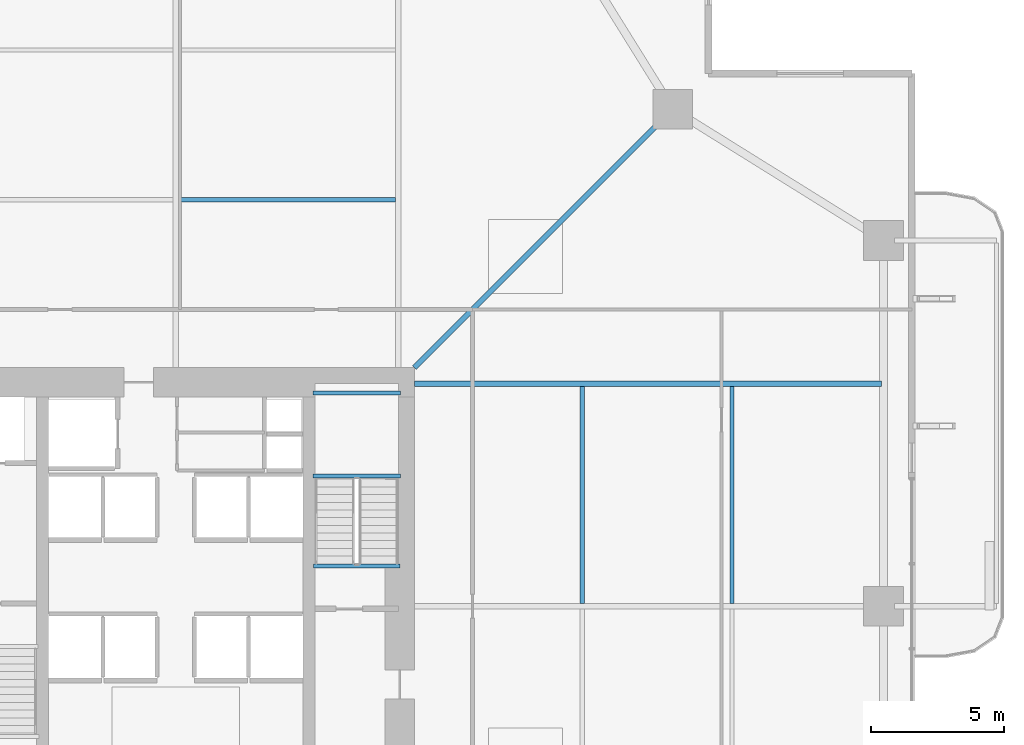
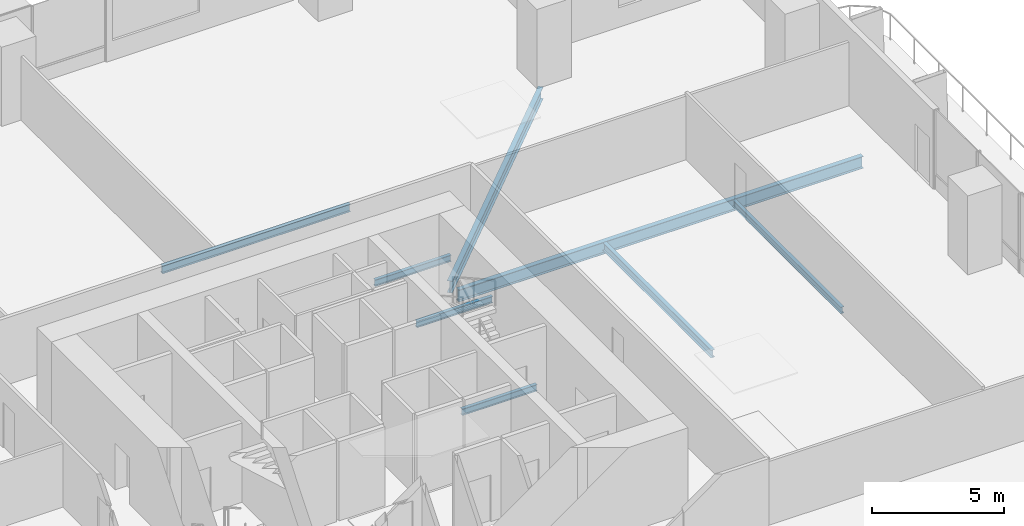
# One storey, part 12 of 24: 8 beams.
"""IFC4 building model written with IfcOpenShell, lengths in metres."""

from ifc_helpers import new_model, si_unit, direction, frame, origin, origin_2d, place, context, subcontext, project, spatial, i_section, extrude, material, material_profile, profile_set, type_object, element, save


model = new_model("IFC4")

# Units and contexts
model_context = context("Model", 3, precision=1e-05, world=origin(), true_north=direction((0.0, 1.0)))
body_context = subcontext(model_context, "Body", "Model", "MODEL_VIEW")
ifc_project = project(units=[si_unit("LENGTHUNIT", "METRE"), si_unit("AREAUNIT", "SQUARE_METRE"), si_unit("VOLUMEUNIT", "CUBIC_METRE"), si_unit("PLANEANGLEUNIT", "RADIAN"), si_unit("MASSUNIT", "GRAM", prefix="KILO")], contexts=[model_context])

# Site, building, storey
site_placement = place(None, origin())
site = spatial("IfcSite", under=ifc_project, at=site_placement, CompositionType="ELEMENT")
building_placement = place(site_placement, origin())
building = spatial("IfcBuilding", under=site, at=building_placement, Name="Belovzor Exchange Tower", CompositionType="ELEMENT")
storey_placement = place(building_placement, frame((0.0, 0.0, 80.699951171875)))
storey = spatial("IfcBuildingStorey", under=building, at=storey_placement, Name="L19", CompositionType="ELEMENT", Elevation=80.699951171875)

# Beams
ifc_material_1 = material(Name="Steel S355", Category="steel")
ifc_material_profile_1 = material_profile(ifc_material_1, i_section(OverallWidth=0.169921875, OverallDepth=0.360107421875, WebThickness=0.008056640625, FlangeThickness=0.0126953125, at=origin_2d()))
ifc_profile_set_1 = profile_set([ifc_material_profile_1], Name="Steel S355")
beam_type_1 = type_object("IfcBeamType", Name="Secondary Infill Floor Joist IPE 360", PredefinedType="BEAM", material=ifc_profile_set_1)
for number, where, z_axis, x_axis, name in (
    (1, (28.905029296875, 44.14501953125, -0.429931640625), (1.0, 0.0, 0.0), (0.0, 1.0, 0.0), "FJ-360 Secondary Infill Floor Joist IPE 360"),
    (2, (44.14501953125, 28.905029296875, -0.429931640625), (0.0, 1.0, 0.0), (-1.0, 0.0, 0.0), "FJ-360 Secondary Infill Floor Joist IPE 360"),
):
    element("IfcBeam", number, at=place(storey_placement, frame(where, z_axis=z_axis, x_axis=x_axis)), inside=storey, type_object=beam_type_1, Name=name, PredefinedType="BEAM", context=body_context, shape_type="SweptSolid", body=[
        extrude(i_section(OverallWidth=0.169921875, OverallDepth=0.360107421875, WebThickness=0.008056640625, FlangeThickness=0.0126953125, at=origin_2d()), origin(), (0.0, 0.0, 1.0), 8.18994140625),
    ])
ifc_material_2 = material(Name="Steel S355", Category="steel")
ifc_material_profile_2 = material_profile(ifc_material_2, i_section(OverallWidth=0.14990234375, OverallDepth=0.300048828125, WebThickness=0.007080078125, FlangeThickness=0.0107421875, at=origin_2d()))
ifc_profile_set_2 = profile_set([ifc_material_profile_2], Name="Steel S355")
beam_type_2 = type_object("IfcBeamType", Name="Secondary Trim Floor Joist IPE 300", PredefinedType="BEAM", material=ifc_profile_set_2)
for number, where, z_axis, x_axis, name in (
    (3, (37.280029296875, 33.7099609375, 1.60009765625), (-1.0, 0.0, 0.0), (0.0, -1.0, 0.0), "FJ-300 Secondary Trim Floor Joist IPE 300"),
    (4, (37.280029296875, 36.85009765625, 1.60009765625), (-1.0, 0.0, 0.0), (0.0, -1.0, 0.0), "FJ-300 Secondary Trim Floor Joist IPE 300"),
):
    element("IfcBeam", number, at=place(storey_placement, frame(where, z_axis=z_axis, x_axis=x_axis)), inside=storey, type_object=beam_type_2, Name=name, PredefinedType="BEAM", context=body_context, shape_type="SweptSolid", body=[
        extrude(i_section(OverallWidth=0.14990234375, OverallDepth=0.300048828125, WebThickness=0.007080078125, FlangeThickness=0.0107421875, at=origin_2d()), origin(), (0.0, 0.0, 1.0), 3.31005859375),
    ])
beam_1_placement = place(storey_placement, frame((37.260009765625, 30.320068359375, -0.39990234375), z_axis=(-1.0, 0.0, 0.0), x_axis=(0.0, -1.0, 0.0)))
element("IfcBeam", 5, at=beam_1_placement, inside=storey, type_object=beam_type_2, Name="FJ-300 Secondary Trim Floor Joist IPE 300", PredefinedType="BEAM", context=body_context, shape_type="SweptSolid", body=[
    extrude(i_section(OverallWidth=0.14990234375, OverallDepth=0.300048828125, WebThickness=0.007080078125, FlangeThickness=0.0107421875, at=origin_2d()), origin(), (0.0, 0.0, 1.0), 3.27001953125),
])
beam_2_placement = place(storey_placement, frame((49.784912109375, 28.905029296875, -0.39990234375), z_axis=(0.0, 1.0, 0.0), x_axis=(-1.0, 0.0, 0.0)))
element("IfcBeam", 6, at=beam_2_placement, inside=storey, type_object=beam_type_2, Name="FJ-300 Secondary Trim Floor Joist IPE 300", PredefinedType="BEAM", context=body_context, shape_type="SweptSolid", body=[
    extrude(i_section(OverallWidth=0.14990234375, OverallDepth=0.300048828125, WebThickness=0.007080078125, FlangeThickness=0.0107421875, at=origin_2d()), origin(), (0.0, 0.0, 1.0), 8.18994140625),
])
ifc_material_3 = material(Name="Steel S355", Category="steel")
ifc_material_profile_3 = material_profile(ifc_material_3, i_section(OverallWidth=0.2099609375, OverallDepth=0.550048828125, WebThickness=0.010986328125, FlangeThickness=0.01708984375, at=origin_2d()))
ifc_profile_set_3 = profile_set([ifc_material_profile_3], Name="Steel S355")
beam_type_3 = type_object("IfcBeamType", Name="Zone 1 Radial Composite Floor Beam IPE 550", PredefinedType="BEAM", material=ifc_profile_set_3)
beam_3_placement = place(storey_placement, frame((37.800048828125, 37.199951171875, -0.52490234375), z_axis=(1.0, 0.0, 0.0), x_axis=(0.0, 1.0, 0.0)))
element("IfcBeam", 7, at=beam_3_placement, inside=storey, type_object=beam_type_3, Name="FB-550 Zone 1 Radial Composite Floor Beam IPE 550", PredefinedType="BEAM", context=body_context, shape_type="SweptSolid", body=[
    extrude(i_section(OverallWidth=0.2099609375, OverallDepth=0.550048828125, WebThickness=0.010986328125, FlangeThickness=0.01708984375, at=origin_2d()), origin(), (0.0, 0.0, 1.0), 17.625),
])
beam_4_placement = place(storey_placement, frame((37.800048828125, 37.800048828125, -0.52490234375), z_axis=(0.707106781187, 0.707106781187, 0.0), x_axis=(-0.707106781187, 0.707106781187, 0.0)))
element("IfcBeam", 8, at=beam_4_placement, inside=storey, type_object=beam_type_3, Name="FB-550 Zone 1 Radial Composite Floor Beam IPE 550", PredefinedType="BEAM", context=body_context, shape_type="SweptSolid", body=[
    extrude(i_section(OverallWidth=0.2099609375, OverallDepth=0.550048828125, WebThickness=0.010986328125, FlangeThickness=0.01708984375, at=origin_2d()), origin(), (0.0, 0.0, 1.0), 13.25830078125),
])

save(model, "model.ifc")
